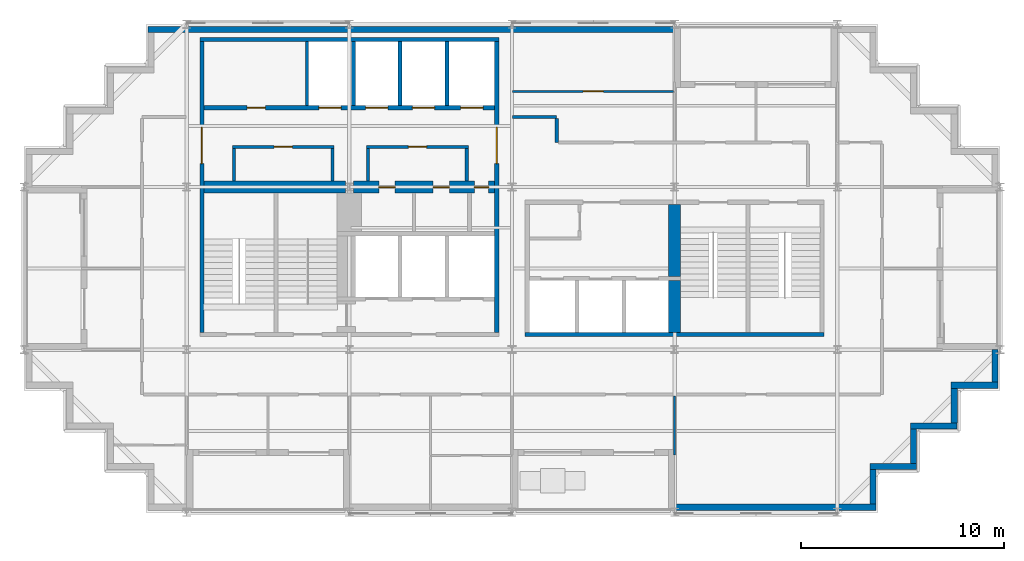
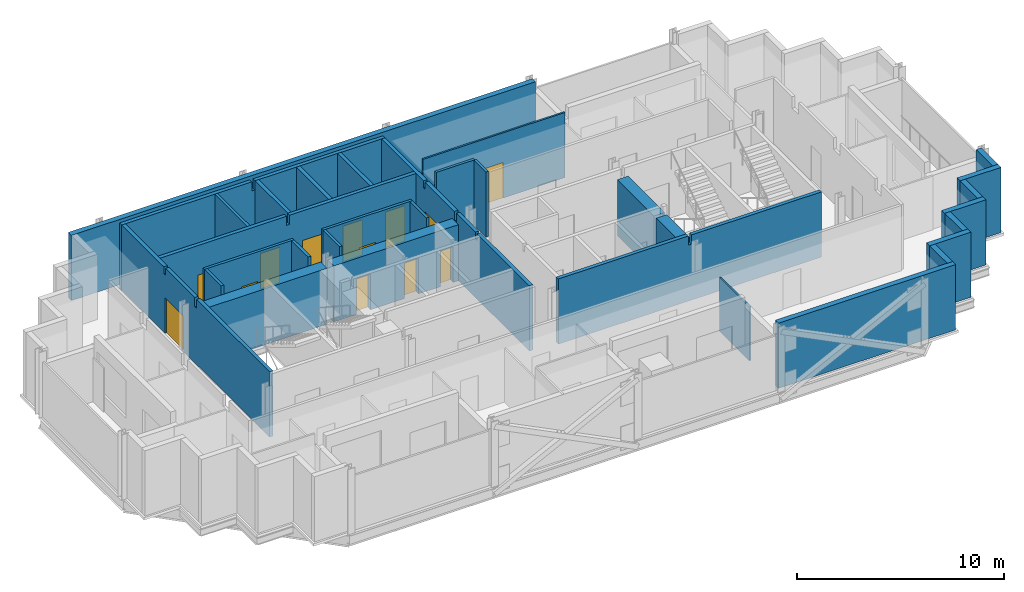
# One storey, part 6 of 10: 32 walls, 13 doors, 13 openings.
"""IFC4 building model written with IfcOpenShell, lengths in metres."""

from ifc_helpers import new_model, si_unit, direction, frame, frame_2d, origin, place, context, subcontext, project, spatial, polyline, rectangle, outline, extrude, material, layer, layer_set, type_object, element, fill, save


model = new_model("IFC4")

# Units and contexts
model_context = context("Model", 3, precision=1e-05, world=origin(), true_north=direction((0.0, 1.0)))
body_context = subcontext(model_context, "Body", "Model", "MODEL_VIEW")
ifc_project = project(units=[si_unit("LENGTHUNIT", "METRE"), si_unit("AREAUNIT", "SQUARE_METRE"), si_unit("VOLUMEUNIT", "CUBIC_METRE"), si_unit("PLANEANGLEUNIT", "RADIAN"), si_unit("MASSUNIT", "GRAM", prefix="KILO")], contexts=[model_context])

# Site, building, storey
site_placement = place(None, origin())
site = spatial("IfcSite", under=ifc_project, at=site_placement, CompositionType="ELEMENT")
building_placement = place(site_placement, origin())
building = spatial("IfcBuilding", under=site, at=building_placement, Name="Immortelle Media Tower", CompositionType="ELEMENT")
storey_placement = place(building_placement, frame((0.0, 0.0, 233.0)))
storey = spatial("IfcBuildingStorey", under=building, at=storey_placement, Name="L50", CompositionType="ELEMENT", Elevation=233.0)

# Wall, openings, doors
ifc_material_1 = material(Name="Fire-rated masonry blockwork", Category="masonry")
ifc_layer_1 = layer(ifc_material_1, 0.60009765625)
ifc_layer_set_1 = layer_set([ifc_layer_1], Name="Fire-rated masonry blockwork")
wall_type_1 = type_object("IfcWallType", Name="Core grid-line wall 600", PredefinedType="PARTITIONING", material=ifc_layer_set_1)
wall_1_placement = place(storey_placement, frame((16.196533203125, 16.0, 0.0), z_axis=(0.0, 0.0, 1.0), x_axis=(1.0, 0.0, 0.0)))
wall_1 = element("IfcWall", 1, at=wall_1_placement, inside=storey, type_object=wall_type_1, Name="Core grid-line wall SW", PredefinedType="PARTITIONING", context=body_context, shape_type="SweptSolid", body=[
    extrude(rectangle(XDim=6.953369140625, YDim=0.60009765625, at=frame_2d((3.4765625, 0.0))), origin(), (0.0, 0.0, 1.0), 3.30810546875),
])
opening_1_placement = place(wall_1_placement, frame((2.053466796875, 0.0, 0.0), z_axis=(0.0, 0.0, 1.0), x_axis=(-1.0, 0.0, 0.0)))
opening_1 = element("IfcOpeningElement", 2, at=opening_1_placement, cuts=wall_1, Name="Opening O6-K010", PredefinedType="OPENING", context=body_context, shape_type="SweptSolid", body=[
    extrude(rectangle(XDim=0.800048828125, YDim=2.10009765625, at=frame_2d((0.39990234375, 1.050048828125))), frame((0.0, 0.31005859375, 0.0), z_axis=(0.0, -1.0, 0.0), x_axis=(1.0, 0.0, 0.0)), (0.0, 0.0, 1.0), 0.6201171875),
])
opening_2_placement = place(wall_1_placement, frame((3.928466796875, 0.0, 0.0)))
opening_2 = element("IfcOpeningElement", 3, at=opening_2_placement, cuts=wall_1, Name="Opening O6-K015", PredefinedType="OPENING", context=body_context, shape_type="SweptSolid", body=[
    extrude(rectangle(XDim=0.800048828125, YDim=2.10009765625, at=frame_2d((0.39990234375, 1.050048828125))), frame((0.0, 0.31005859375, 0.0), z_axis=(0.0, -1.0, 0.0), x_axis=(1.0, 0.0, 0.0)), (0.0, 0.0, 1.0), 0.6201171875),
])
opening_3_placement = place(wall_1_placement, frame((6.653564453125, 0.0, 0.0), z_axis=(0.0, 0.0, 1.0), x_axis=(-1.0, 0.0, 0.0)))
opening_3 = element("IfcOpeningElement", 4, at=opening_3_placement, cuts=wall_1, Name="Opening O6-K018", PredefinedType="OPENING", context=body_context, shape_type="SweptSolid", body=[
    extrude(rectangle(XDim=0.699951171875, YDim=2.10009765625, at=frame_2d((0.35009765625, 1.050048828125))), frame((0.0, 0.31005859375, 0.0), z_axis=(0.0, -1.0, 0.0), x_axis=(1.0, 0.0, 0.0)), (0.0, 0.0, 1.0), 0.6201171875),
])
ifc_material_2 = material(Name="Galvanised steel door leaf and frame ASTM A653", Category="steel")
door_type_1 = type_object("IfcDoorType", Name="Service door 700 x 2100", OperationType="NOTDEFINED", PredefinedType="NOTDEFINED", material=ifc_material_2)
door_1_placement = place(opening_3_placement, origin())
door_1 = element("IfcDoor", 5, at=door_1_placement, inside=storey, type_object=door_type_1, Name="Service O6-K018", OperationType="SINGLE_SWING_LEFT", OverallHeight=2.10009765625, OverallWidth=0.699951171875, PredefinedType="NOTDEFINED", context=body_context, shape_type="SweptSolid", body=[
    extrude(rectangle(XDim=0.699951171875, YDim=2.10009765625, at=frame_2d((0.35009765625, 1.050048828125))), frame((0.0, 0.02490234375, 0.0), z_axis=(0.0, -1.0, 0.0), x_axis=(1.0, 0.0, 0.0)), (0.0, 0.0, 1.0), 0.050048828125),
])
fill(opening_3, door_1)
ifc_material_3 = material(Name="Timber", Category="wood")
door_type_2 = type_object("IfcDoorType", Name="Toilet door 800 x 2100", OperationType="NOTDEFINED", PredefinedType="NOTDEFINED", material=ifc_material_3)
door_2_placement = place(opening_1_placement, origin())
door_2 = element("IfcDoor", 6, at=door_2_placement, inside=storey, type_object=door_type_2, Name="Toilet O6-K010", OperationType="SINGLE_SWING_RIGHT", OverallHeight=2.10009765625, OverallWidth=0.800048828125, PredefinedType="NOTDEFINED", context=body_context, shape_type="SweptSolid", body=[
    extrude(rectangle(XDim=0.800048828125, YDim=2.10009765625, at=frame_2d((0.39990234375, 1.050048828125))), frame((0.0, 0.02490234375, 0.0), z_axis=(0.0, -1.0, 0.0), x_axis=(1.0, 0.0, 0.0)), (0.0, 0.0, 1.0), 0.050048828125),
])
fill(opening_1, door_2)
door_3_placement = place(opening_2_placement, origin())
door_3 = element("IfcDoor", 7, at=door_3_placement, inside=storey, type_object=door_type_2, Name="Toilet O6-K015", OperationType="SINGLE_SWING_RIGHT", OverallHeight=2.10009765625, OverallWidth=0.800048828125, PredefinedType="NOTDEFINED", context=body_context, shape_type="SweptSolid", body=[
    extrude(rectangle(XDim=0.800048828125, YDim=2.10009765625, at=frame_2d((0.39990234375, 1.050048828125))), frame((0.0, 0.02490234375, 0.0), z_axis=(0.0, -1.0, 0.0), x_axis=(1.0, 0.0, 0.0)), (0.0, 0.0, 1.0), 0.050048828125),
])
fill(opening_2, door_3)

# Wall
ifc_material_4 = material(Name="Fire-rated gypsum board", Category="gypsum")
ifc_layer_2 = layer(ifc_material_4, 0.02490234375)
ifc_material_5 = material(Name="Steel ASTM A653 SS Gr 50 stud frame with mineral wool", Category="steel")
ifc_layer_3 = layer(ifc_material_5, 0.10009765625)
ifc_layer_4 = layer(ifc_material_4, 0.02490234375)
ifc_layer_set_2 = layer_set([ifc_layer_2, ifc_layer_3, ifc_layer_4], Name="Steel ASTM A653 SS Gr 50 stud frame with mineral wool")
wall_type_2 = type_object("IfcWallType", Name="Core partition 150", PredefinedType="PARTITIONING", material=ifc_layer_set_2)
wall_2_placement = place(storey_placement, frame((10.324951171875, 16.300048828125, 0.0), z_axis=(0.0, 0.0, 1.0), x_axis=(0.0, 1.0, 0.0)))
element("IfcWall", 8, at=wall_2_placement, inside=storey, type_object=wall_type_2, Name="Core partition SW", PredefinedType="PARTITIONING", context=body_context, shape_type="SweptSolid", body=[
    extrude(rectangle(XDim=1.599853515625, YDim=0.14990234375, at=frame_2d((0.7998046875, 0.0))), origin(), (0.0, 0.0, 1.0), 3.85009765625),
])

# Wall, opening, door
wall_3_placement = place(storey_placement, frame((10.25, 17.97509765625, 0.0), z_axis=(0.0, 0.0, 1.0), x_axis=(1.0, 0.0, 0.0)))
wall_3 = element("IfcWall", 9, at=wall_3_placement, inside=storey, type_object=wall_type_2, Name="Core partition SW", PredefinedType="PARTITIONING", context=body_context, shape_type="SweptSolid", body=[
    extrude(rectangle(XDim=5.0, YDim=0.14990234375, at=frame_2d((2.5, 0.0))), origin(), (0.0, 0.0, 1.0), 3.85009765625),
])
opening_4_placement = place(wall_3_placement, frame((2.949951171875, 0.0, 0.0), z_axis=(0.0, 0.0, 1.0), x_axis=(-1.0, 0.0, 0.0)))
opening_4 = element("IfcOpeningElement", 10, at=opening_4_placement, cuts=wall_3, Name="Opening O6-K004", PredefinedType="OPENING", context=body_context, shape_type="SweptSolid", body=[
    extrude(rectangle(XDim=0.89990234375, YDim=2.10009765625, at=frame_2d((0.449951171875, 1.050048828125))), frame((0.0, 0.0849609375, 0.0), z_axis=(0.0, -1.0, 0.0), x_axis=(1.0, 0.0, 0.0)), (0.0, 0.0, 1.0), 0.169921875),
])
door_type_3 = type_object("IfcDoorType", Name="Room door 900 x 2100", OperationType="NOTDEFINED", PredefinedType="NOTDEFINED", material=ifc_material_3)
door_4_placement = place(opening_4_placement, origin())
door_4 = element("IfcDoor", 11, at=door_4_placement, inside=storey, type_object=door_type_3, Name="Room O6-K004", OperationType="SINGLE_SWING_LEFT", OverallHeight=2.10009765625, OverallWidth=0.89990234375, PredefinedType="NOTDEFINED", context=body_context, shape_type="SweptSolid", body=[
    extrude(rectangle(XDim=0.89990234375, YDim=2.10009765625, at=frame_2d((0.449951171875, 1.050048828125))), frame((0.0, 0.02490234375, 0.0), z_axis=(0.0, -1.0, 0.0), x_axis=(1.0, 0.0, 0.0)), (0.0, 0.0, 1.0), 0.050048828125),
])
fill(opening_4, door_4)

# Walls
wall_4_placement = place(storey_placement, frame((13.925048828125, 20.0, 0.0), z_axis=(0.0, 0.0, 1.0), x_axis=(0.0, 1.0, 0.0)))
element("IfcWall", 12, at=wall_4_placement, inside=storey, type_object=wall_type_2, Name="Core partition SW", PredefinedType="PARTITIONING", context=body_context, shape_type="SweptSolid", body=[
    extrude(rectangle(XDim=3.14990234375, YDim=0.14990234375, at=frame_2d((1.574951171875, 0.0))), origin(), (0.0, 0.0, 1.0), 3.85009765625),
])
for number, where, z_axis, x_axis, name in (
    (13, (15.175048828125, 16.300048828125, 0.0), (0.0, 0.0, 1.0), (0.0, 1.0, 0.0), "Core partition SW"),
    (14, (16.925048828125, 16.300048828125, 0.0), (0.0, 0.0, 1.0), (0.0, 1.0, 0.0), "Core partition SW"),
):
    element("IfcWall", number, at=place(storey_placement, frame(where, z_axis=z_axis, x_axis=x_axis)), inside=storey, type_object=wall_type_2, Name=name, PredefinedType="PARTITIONING", context=body_context, shape_type="SweptSolid", body=[
        extrude(rectangle(XDim=1.599853515625, YDim=0.14990234375, at=frame_2d((0.7998046875, 0.0))), origin(), (0.0, 0.0, 1.0), 3.85009765625),
    ])

# Wall, opening, door
wall_5_placement = place(storey_placement, frame((16.85009765625, 17.97509765625, 0.0), z_axis=(0.0, 0.0, 1.0), x_axis=(1.0, 0.0, 0.0)))
wall_5 = element("IfcWall", 15, at=wall_5_placement, inside=storey, type_object=wall_type_2, Name="Core partition SW", PredefinedType="PARTITIONING", context=body_context, shape_type="SweptSolid", body=[
    extrude(rectangle(XDim=5.0, YDim=0.14990234375, at=frame_2d((2.5, 0.0))), origin(), (0.0, 0.0, 1.0), 3.85009765625),
])
opening_5_placement = place(wall_5_placement, frame((2.949951171875, 0.0, 0.0), z_axis=(0.0, 0.0, 1.0), x_axis=(-1.0, 0.0, 0.0)))
opening_5 = element("IfcOpeningElement", 16, at=opening_5_placement, cuts=wall_5, Name="Opening O6-K011", PredefinedType="OPENING", context=body_context, shape_type="SweptSolid", body=[
    extrude(rectangle(XDim=0.89990234375, YDim=2.10009765625, at=frame_2d((0.449951171875, 1.050048828125))), frame((0.0, 0.0849609375, 0.0), z_axis=(0.0, -1.0, 0.0), x_axis=(1.0, 0.0, 0.0)), (0.0, 0.0, 1.0), 0.169921875),
])
door_5_placement = place(opening_5_placement, origin())
door_5 = element("IfcDoor", 17, at=door_5_placement, inside=storey, type_object=door_type_3, Name="Room O6-K011", OperationType="SINGLE_SWING_LEFT", OverallHeight=2.10009765625, OverallWidth=0.89990234375, PredefinedType="NOTDEFINED", context=body_context, shape_type="SweptSolid", body=[
    extrude(rectangle(XDim=0.89990234375, YDim=2.10009765625, at=frame_2d((0.449951171875, 1.050048828125))), frame((0.0, 0.02490234375, 0.0), z_axis=(0.0, -1.0, 0.0), x_axis=(1.0, 0.0, 0.0)), (0.0, 0.0, 1.0), 0.050048828125),
])
fill(opening_5, door_5)

# Walls
wall_6_placement = place(storey_placement, frame((21.77490234375, 16.300048828125, 0.0), z_axis=(0.0, 0.0, 1.0), x_axis=(0.0, 1.0, 0.0)))
element("IfcWall", 18, at=wall_6_placement, inside=storey, type_object=wall_type_2, Name="Core partition SW", PredefinedType="PARTITIONING", context=body_context, shape_type="SweptSolid", body=[
    extrude(rectangle(XDim=1.599853515625, YDim=0.14990234375, at=frame_2d((0.7998046875, 0.0))), origin(), (0.0, 0.0, 1.0), 3.85009765625),
])
ifc_layer_5 = layer(ifc_material_4, 0.03759765625)
ifc_layer_6 = layer(ifc_material_5, 0.125)
ifc_layer_7 = layer(ifc_material_4, 0.03759765625)
ifc_layer_set_3 = layer_set([ifc_layer_5, ifc_layer_6, ifc_layer_7], Name="Steel ASTM A653 SS Gr 50 stud frame with mineral wool")
wall_type_3 = type_object("IfcWallType", Name="Core shaft wall 200", PredefinedType="PARTITIONING", material=ifc_layer_set_3)
wall_7_placement = place(storey_placement, frame((8.64990234375, 23.25, 0.0), z_axis=(0.0, 0.0, 1.0), x_axis=(1.0, 0.0, 0.0)))
element("IfcWall", 19, at=wall_7_placement, inside=storey, type_object=wall_type_3, Name="Core shaft wall SW", PredefinedType="PARTITIONING", context=body_context, shape_type="SweptSolid", body=[
    extrude(outline(polyline([(0.0, 0.0), (14.7001953125, 0.0), (14.699951171875, 3.85009765625), (7.4384765625, 3.85009765625), (7.4375, 3.30810546875), (7.262451171875, 3.30810546875), (7.261474609375, 3.85009765625), (0.0, 3.85009765625), (0.0, 0.0)])), frame((0.0, 0.10009765625, 0.0), z_axis=(0.0, -1.0, 0.0), x_axis=(1.0, 0.0, 0.0)), (0.0, 0.0, 1.0), 0.199951171875),
])

# Wall, openings, doors
wall_8_placement = place(storey_placement, frame((8.85009765625, 19.89990234375, 0.0), z_axis=(0.0, 0.0, 1.0), x_axis=(1.0, 0.0, 0.0)))
wall_8 = element("IfcWall", 20, at=wall_8_placement, inside=storey, type_object=wall_type_3, Name="Core shaft wall SW", PredefinedType="PARTITIONING", context=body_context, shape_type="SweptSolid", body=[
    extrude(outline(polyline([(0.0, 0.0), (14.2998046875, 0.0), (14.300048828125, 3.85009765625), (7.238525390625, 3.85009765625), (7.237548828125, 3.30810546875), (7.0625, 3.30810546875), (7.0615234375, 3.85009765625), (0.0, 3.85009765625), (0.0, 0.0)])), frame((0.0, 0.10009765625, 0.0), z_axis=(0.0, -1.0, 0.0), x_axis=(1.0, 0.0, 0.0)), (0.0, 0.0, 1.0), 0.199951171875),
])
opening_6_placement = place(wall_8_placement, frame((2.125, 0.0, 0.0)))
opening_6 = element("IfcOpeningElement", 21, at=opening_6_placement, cuts=wall_8, Name="Opening O6-K003", PredefinedType="OPENING", context=body_context, shape_type="SweptSolid", body=[
    extrude(rectangle(XDim=0.89990234375, YDim=2.10009765625, at=frame_2d((0.449951171875, 1.050048828125))), frame((0.0, 0.10986328125, 0.0), z_axis=(0.0, -1.0, 0.0), x_axis=(1.0, 0.0, 0.0)), (0.0, 0.0, 1.0), 0.219970703125),
])
opening_7_placement = place(wall_8_placement, frame((5.64990234375, 0.0, 0.0)))
opening_7 = element("IfcOpeningElement", 22, at=opening_7_placement, cuts=wall_8, Name="Opening LD", PredefinedType="OPENING", context=body_context, shape_type="SweptSolid", body=[
    extrude(rectangle(XDim=1.10009765625, YDim=2.10009765625, at=frame_2d((0.550048828125, 1.050048828125))), frame((0.0, 0.10986328125, 0.0), z_axis=(0.0, -1.0, 0.0), x_axis=(1.0, 0.0, 0.0)), (0.0, 0.0, 1.0), 0.219970703125),
])
opening_8_placement = place(wall_8_placement, frame((7.949951171875, 0.0, 0.0)))
opening_8 = element("IfcOpeningElement", 23, at=opening_8_placement, cuts=wall_8, Name="Opening LD", PredefinedType="OPENING", context=body_context, shape_type="SweptSolid", body=[
    extrude(rectangle(XDim=1.10009765625, YDim=2.10009765625, at=frame_2d((0.550048828125, 1.050048828125))), frame((0.0, 0.10986328125, 0.0), z_axis=(0.0, -1.0, 0.0), x_axis=(1.0, 0.0, 0.0)), (0.0, 0.0, 1.0), 0.219970703125),
])
opening_9_placement = place(wall_8_placement, frame((10.25, 0.0, 0.0)))
opening_9 = element("IfcOpeningElement", 24, at=opening_9_placement, cuts=wall_8, Name="Opening LD", PredefinedType="OPENING", context=body_context, shape_type="SweptSolid", body=[
    extrude(rectangle(XDim=1.10009765625, YDim=2.10009765625, at=frame_2d((0.550048828125, 1.050048828125))), frame((0.0, 0.10986328125, 0.0), z_axis=(0.0, -1.0, 0.0), x_axis=(1.0, 0.0, 0.0)), (0.0, 0.0, 1.0), 0.219970703125),
])
opening_10_placement = place(wall_8_placement, frame((12.625, 0.0, 0.0)))
opening_10 = element("IfcOpeningElement", 25, at=opening_10_placement, cuts=wall_8, Name="Opening LD", PredefinedType="OPENING", context=body_context, shape_type="SweptSolid", body=[
    extrude(rectangle(XDim=1.10009765625, YDim=2.10009765625, at=frame_2d((0.550048828125, 1.050048828125))), frame((0.0, 0.10986328125, 0.0), z_axis=(0.0, -1.0, 0.0), x_axis=(1.0, 0.0, 0.0)), (0.0, 0.0, 1.0), 0.219970703125),
])
ifc_material_6 = material(Name="Stainless steel AISI 304", Category="steel")
door_type_4 = type_object("IfcDoorType", Name="Landing door 1100 x 2100", OperationType="SLIDING_TO_LEFT", PredefinedType="NOTDEFINED", material=ifc_material_6)
door_6_placement = place(opening_7_placement, origin())
door_6 = element("IfcDoor", 26, at=door_6_placement, inside=storey, type_object=door_type_4, Name="Landing door HR1 L50", OperationType="SLIDING_TO_LEFT", OverallHeight=2.10009765625, OverallWidth=1.10009765625, PredefinedType="NOTDEFINED", context=body_context, shape_type="SweptSolid", body=[
    extrude(rectangle(XDim=1.10009765625, YDim=2.10009765625, at=frame_2d((0.550048828125, 1.050048828125))), frame((0.0, 0.02490234375, 0.0), z_axis=(0.0, -1.0, 0.0), x_axis=(1.0, 0.0, 0.0)), (0.0, 0.0, 1.0), 0.050048828125),
])
fill(opening_7, door_6)
door_7_placement = place(opening_8_placement, origin())
door_7 = element("IfcDoor", 27, at=door_7_placement, inside=storey, type_object=door_type_4, Name="Landing door HR2 L50", OperationType="SLIDING_TO_LEFT", OverallHeight=2.10009765625, OverallWidth=1.10009765625, PredefinedType="NOTDEFINED", context=body_context, shape_type="SweptSolid", body=[
    extrude(rectangle(XDim=1.10009765625, YDim=2.10009765625, at=frame_2d((0.550048828125, 1.050048828125))), frame((0.0, 0.02490234375, 0.0), z_axis=(0.0, -1.0, 0.0), x_axis=(1.0, 0.0, 0.0)), (0.0, 0.0, 1.0), 0.050048828125),
])
fill(opening_8, door_7)
door_8_placement = place(opening_9_placement, origin())
door_8 = element("IfcDoor", 28, at=door_8_placement, inside=storey, type_object=door_type_4, Name="Landing door HR3 L50", OperationType="SLIDING_TO_LEFT", OverallHeight=2.10009765625, OverallWidth=1.10009765625, PredefinedType="NOTDEFINED", context=body_context, shape_type="SweptSolid", body=[
    extrude(rectangle(XDim=1.10009765625, YDim=2.10009765625, at=frame_2d((0.550048828125, 1.050048828125))), frame((0.0, 0.02490234375, 0.0), z_axis=(0.0, -1.0, 0.0), x_axis=(1.0, 0.0, 0.0)), (0.0, 0.0, 1.0), 0.050048828125),
])
fill(opening_9, door_8)
door_9_placement = place(opening_10_placement, origin())
door_9 = element("IfcDoor", 29, at=door_9_placement, inside=storey, type_object=door_type_4, Name="Landing door HR4 L50", OperationType="SLIDING_TO_LEFT", OverallHeight=2.10009765625, OverallWidth=1.10009765625, PredefinedType="NOTDEFINED", context=body_context, shape_type="SweptSolid", body=[
    extrude(rectangle(XDim=1.10009765625, YDim=2.10009765625, at=frame_2d((0.550048828125, 1.050048828125))), frame((0.0, 0.02490234375, 0.0), z_axis=(0.0, -1.0, 0.0), x_axis=(1.0, 0.0, 0.0)), (0.0, 0.0, 1.0), 0.050048828125),
])
fill(opening_10, door_9)
door_10_placement = place(opening_6_placement, origin())
door_10 = element("IfcDoor", 30, at=door_10_placement, inside=storey, type_object=door_type_3, Name="Room O6-K003", OperationType="SINGLE_SWING_RIGHT", OverallHeight=2.10009765625, OverallWidth=0.89990234375, PredefinedType="NOTDEFINED", context=body_context, shape_type="SweptSolid", body=[
    extrude(rectangle(XDim=0.89990234375, YDim=2.10009765625, at=frame_2d((0.449951171875, 1.050048828125))), frame((0.0, 0.02490234375, 0.0), z_axis=(0.0, -1.0, 0.0), x_axis=(1.0, 0.0, 0.0)), (0.0, 0.0, 1.0), 0.050048828125),
])
fill(opening_6, door_10)

# Walls
for number, where, z_axis, x_axis, name in (
    (31, (16.199951171875, 20.0, 0.0), (0.0, 0.0, 1.0), (0.0, 1.0, 0.0), "Core shaft wall SW"),
    (32, (18.5, 20.0, 0.0), (0.0, 0.0, 1.0), (0.0, 1.0, 0.0), "Core shaft wall SW"),
    (33, (20.800048828125, 20.0, 0.0), (0.0, 0.0, 1.0), (0.0, 1.0, 0.0), "Core shaft wall SW"),
):
    element("IfcWall", number, at=place(storey_placement, frame(where, z_axis=z_axis, x_axis=x_axis)), inside=storey, type_object=wall_type_3, Name=name, PredefinedType="PARTITIONING", context=body_context, shape_type="SweptSolid", body=[
        extrude(rectangle(XDim=3.14990234375, YDim=0.199951171875, at=frame_2d((1.574951171875, 0.0))), origin(), (0.0, 0.0, 1.0), 3.85009765625),
    ])

# Wall, opening, door
wall_9_placement = place(storey_placement, frame((23.25, 8.85009765625, 0.0), z_axis=(0.0, 0.0, 1.0), x_axis=(0.0, 1.0, 0.0)))
wall_9 = element("IfcWall", 34, at=wall_9_placement, inside=storey, type_object=wall_type_3, Name="Core shaft wall SW", PredefinedType="PARTITIONING", context=body_context, shape_type="SweptSolid", body=[
    extrude(outline(polyline([(0.0, 0.0), (14.2998046875, 0.0), (14.300048828125, 3.85009765625), (10.22509765625, 3.85009765625), (10.22412109375, 3.43994140625), (10.075927734375, 3.43994140625), (10.074951171875, 3.85009765625), (7.238525390625, 3.85009765625), (7.237548828125, 3.30810546875), (7.0625, 3.30810546875), (7.0615234375, 3.85009765625), (5.22509765625, 3.85009765625), (5.22412109375, 3.43994140625), (5.075927734375, 3.43994140625), (5.074951171875, 3.85009765625), (0.0, 3.85009765625), (0.0, 0.0)])), frame((0.0, 0.10009765625, 0.0), z_axis=(0.0, -1.0, 0.0), x_axis=(1.0, 0.0, 0.0)), (0.0, 0.0, 1.0), 0.199951171875),
])
opening_11_placement = place(wall_9_placement, frame((8.300048828125, 0.0, 0.0)))
opening_11 = element("IfcOpeningElement", 35, at=opening_11_placement, cuts=wall_9, Name="Opening O6-K019", PredefinedType="OPENING", context=body_context, shape_type="SweptSolid", body=[
    extrude(rectangle(XDim=1.800048828125, YDim=2.10009765625, at=frame_2d((0.89990234375, 1.050048828125))), frame((0.0, 0.10986328125, 0.0), z_axis=(0.0, -1.0, 0.0), x_axis=(1.0, 0.0, 0.0)), (0.0, 0.0, 1.0), 0.219970703125),
])
door_type_5 = type_object("IfcDoorType", Name="Lift lobby door 1800 x 2100", OperationType="DOUBLE_DOOR_SINGLE_SWING", PredefinedType="NOTDEFINED", material=ifc_material_2)
door_11_placement = place(opening_11_placement, origin())
door_11 = element("IfcDoor", 36, at=door_11_placement, inside=storey, type_object=door_type_5, Name="Lift lobby O6-K019", OperationType="DOUBLE_DOOR_SINGLE_SWING", OverallHeight=2.10009765625, OverallWidth=1.800048828125, PredefinedType="NOTDEFINED", context=body_context, shape_type="SweptSolid", body=[
    extrude(rectangle(XDim=1.800048828125, YDim=2.10009765625, at=frame_2d((0.89990234375, 1.050048828125))), frame((0.0, 0.02490234375, 0.0), z_axis=(0.0, -1.0, 0.0), x_axis=(1.0, 0.0, 0.0)), (0.0, 0.0, 1.0), 0.050048828125),
])
fill(opening_11, door_11)

# Walls
ifc_layer_8 = layer(ifc_material_4, 0.012451171875)
ifc_layer_9 = layer(ifc_material_5, 0.125)
ifc_layer_10 = layer(ifc_material_4, 0.012451171875)
ifc_layer_set_4 = layer_set([ifc_layer_8, ifc_layer_9, ifc_layer_10], Name="Steel ASTM A653 SS Gr 50 stud frame with mineral wool")
wall_type_4 = type_object("IfcWallType", Name="Corridor wall 150", PredefinedType="PARTITIONING", material=ifc_layer_set_4)
wall_10_placement = place(storey_placement, frame((26.199951171875, 18.199951171875, 0.0), z_axis=(0.0, 0.0, 1.0), x_axis=(0.0, 1.0, 0.0)))
element("IfcWall", 37, at=wall_10_placement, inside=storey, type_object=wall_type_4, Name="Partition L50-023", PredefinedType="PARTITIONING", context=body_context, shape_type="SweptSolid", body=[
    extrude(rectangle(XDim=1.175048828125, YDim=0.14990234375, at=frame_2d((0.58740234375, 0.0))), origin(), (0.0, 0.0, 1.0), 3.85009765625),
])
wall_11_placement = place(storey_placement, frame((24.030029296875, 19.449951171875, 0.0), z_axis=(0.0, 0.0, 1.0), x_axis=(1.0, 0.0, 0.0)))
element("IfcWall", 38, at=wall_11_placement, inside=storey, type_object=wall_type_4, Name="Partition L50-029", PredefinedType="PARTITIONING", context=body_context, shape_type="SweptSolid", body=[
    extrude(rectangle(XDim=2.169921875, YDim=0.14990234375, at=frame_2d((1.0849609375, 0.0))), origin(), (0.0, 0.0, 1.0), 3.85009765625),
])
ifc_material_7 = material(Name="Pale aluminium cladding panel", Category="aluminium")
ifc_layer_11 = layer(ifc_material_7, 0.030029296875)
ifc_layer_12 = layer(ifc_material_5, 0.257568359375)
ifc_material_8 = material(Name="Moisture-resistant gypsum board", Category="gypsum")
ifc_layer_13 = layer(ifc_material_8, 0.012451171875)
ifc_layer_set_5 = layer_set([ifc_layer_11, ifc_layer_12, ifc_layer_13], Name="Steel ASTM A653 SS Gr 50 stud frame with mineral wool")
wall_type_5 = type_object("IfcWallType", Name="Facade wall 300", PredefinedType="SOLIDWALL", material=ifc_layer_set_5)
wall_12_placement = place(storey_placement, frame((32.0, 0.25, 0.0), z_axis=(0.0, 0.0, 1.0), x_axis=(1.0, 0.0, 0.0)))
element("IfcWall", 39, at=wall_12_placement, inside=storey, type_object=wall_type_5, Name="Facade wall L50 S6", PredefinedType="SOLIDWALL", context=body_context, shape_type="SweptSolid", body=[
    extrude(rectangle(XDim=9.89990234375, YDim=0.300048828125, at=frame_2d((4.949951171875, 0.0))), origin(), (0.0, 0.0, 1.0), 3.85009765625),
])
wall_13_placement = place(storey_placement, frame((41.75, 0.39990234375, 0.0), z_axis=(0.0, 0.0, 1.0), x_axis=(0.0, 1.0, 0.0)))
element("IfcWall", 40, at=wall_13_placement, inside=storey, type_object=wall_type_5, Name="Facade wall L50 E7", PredefinedType="SOLIDWALL", context=body_context, shape_type="SweptSolid", body=[
    extrude(rectangle(XDim=1.7001953125, YDim=0.300048828125, at=frame_2d((0.85009765625, 0.0))), origin(), (0.0, 0.0, 1.0), 3.85009765625),
])
wall_14_placement = place(storey_placement, frame((41.60009765625, 2.25, 0.0), z_axis=(0.0, 0.0, 1.0), x_axis=(1.0, 0.0, 0.0)))
element("IfcWall", 41, at=wall_14_placement, inside=storey, type_object=wall_type_5, Name="Facade wall L50 S8", PredefinedType="SOLIDWALL", context=body_context, shape_type="SweptSolid", body=[
    extrude(rectangle(XDim=2.2998046875, YDim=0.300048828125, at=frame_2d((1.14990234375, 0.0))), origin(), (0.0, 0.0, 1.0), 3.85009765625),
])
wall_15_placement = place(storey_placement, frame((43.75, 2.39990234375, 0.0), z_axis=(0.0, 0.0, 1.0), x_axis=(0.0, 1.0, 0.0)))
element("IfcWall", 42, at=wall_15_placement, inside=storey, type_object=wall_type_5, Name="Facade wall L50 E9", PredefinedType="SOLIDWALL", context=body_context, shape_type="SweptSolid", body=[
    extrude(rectangle(XDim=1.7001953125, YDim=0.300048828125, at=frame_2d((0.85009765625, 0.0))), origin(), (0.0, 0.0, 1.0), 3.85009765625),
])
wall_16_placement = place(storey_placement, frame((43.60009765625, 4.25, 0.0), z_axis=(0.0, 0.0, 1.0), x_axis=(1.0, 0.0, 0.0)))
element("IfcWall", 43, at=wall_16_placement, inside=storey, type_object=wall_type_5, Name="Facade wall L50 S10", PredefinedType="SOLIDWALL", context=body_context, shape_type="SweptSolid", body=[
    extrude(rectangle(XDim=2.2998046875, YDim=0.300048828125, at=frame_2d((1.14990234375, 0.0))), origin(), (0.0, 0.0, 1.0), 3.85009765625),
])
wall_17_placement = place(storey_placement, frame((45.75, 4.39990234375, 0.0), z_axis=(0.0, 0.0, 1.0), x_axis=(0.0, 1.0, 0.0)))
element("IfcWall", 44, at=wall_17_placement, inside=storey, type_object=wall_type_5, Name="Facade wall L50 E11", PredefinedType="SOLIDWALL", context=body_context, shape_type="SweptSolid", body=[
    extrude(rectangle(XDim=1.7001953125, YDim=0.300048828125, at=frame_2d((0.85009765625, 0.0))), origin(), (0.0, 0.0, 1.0), 3.85009765625),
])
wall_18_placement = place(storey_placement, frame((45.60009765625, 6.25, 0.0), z_axis=(0.0, 0.0, 1.0), x_axis=(1.0, 0.0, 0.0)))
element("IfcWall", 45, at=wall_18_placement, inside=storey, type_object=wall_type_5, Name="Facade wall L50 S12", PredefinedType="SOLIDWALL", context=body_context, shape_type="SweptSolid", body=[
    extrude(rectangle(XDim=2.2998046875, YDim=0.300048828125, at=frame_2d((1.14990234375, 0.0))), origin(), (0.0, 0.0, 1.0), 3.85009765625),
])
wall_19_placement = place(storey_placement, frame((47.75, 6.39990234375, 0.0), z_axis=(0.0, 0.0, 1.0), x_axis=(0.0, 1.0, 0.0)))
element("IfcWall", 46, at=wall_19_placement, inside=storey, type_object=wall_type_5, Name="Facade wall L50 E13", PredefinedType="SOLIDWALL", context=body_context, shape_type="SweptSolid", body=[
    extrude(rectangle(XDim=1.60009765625, YDim=0.300048828125, at=frame_2d((0.800048828125, 0.0))), origin(), (0.0, 0.0, 1.0), 3.85009765625),
])
wall_20_placement = place(storey_placement, frame((32.0, 23.75, 0.0), z_axis=(0.0, 0.0, 1.0), x_axis=(-1.0, 0.0, 0.0)))
element("IfcWall", 47, at=wall_20_placement, inside=storey, type_object=wall_type_5, Name="Facade wall L50 N20", PredefinedType="SOLIDWALL", context=body_context, shape_type="SweptSolid", body=[
    extrude(rectangle(XDim=25.89990234375, YDim=0.300048828125, at=frame_2d((12.949951171875, 0.0))), origin(), (0.0, 0.0, 1.0), 3.85009765625),
])
ifc_material_9 = material(Name="Gypsum board", Category="gypsum")
ifc_layer_14 = layer(ifc_material_9, 0.012451171875)
ifc_layer_15 = layer(ifc_material_5, 0.074951171875)
ifc_layer_16 = layer(ifc_material_9, 0.012451171875)
ifc_layer_set_6 = layer_set([ifc_layer_14, ifc_layer_15, ifc_layer_16], Name="Steel ASTM A653 SS Gr 50 stud frame with mineral wool")
wall_type_6 = type_object("IfcWallType", Name="Partition 100", PredefinedType="PARTITIONING", material=ifc_layer_set_6)
wall_21_placement = place(storey_placement, frame((32.0, 2.830078125, 0.0), z_axis=(0.0, 0.0, 1.0), x_axis=(0.0, 1.0, 0.0)))
element("IfcWall", 48, at=wall_21_placement, inside=storey, type_object=wall_type_6, Name="Partition L50-008", PredefinedType="PARTITIONING", context=body_context, shape_type="SweptSolid", body=[
    extrude(rectangle(XDim=2.89501953125, YDim=0.10009765625, at=frame_2d((1.447509765625, 0.0))), origin(), (0.0, 0.0, 1.0), 3.172119140625),
])

# Wall, opening, door
wall_22_placement = place(storey_placement, frame((24.030029296875, 20.699951171875, 0.0), z_axis=(0.0, 0.0, 1.0), x_axis=(1.0, 0.0, 0.0)))
wall_22 = element("IfcWall", 49, at=wall_22_placement, inside=storey, type_object=wall_type_6, Name="Partition L50-030", PredefinedType="PARTITIONING", context=body_context, shape_type="SweptSolid", body=[
    extrude(rectangle(XDim=7.919921875, YDim=0.10009765625, at=frame_2d((3.9599609375, 0.0))), origin(), (0.0, 0.0, 1.0), 3.85009765625),
])
opening_12_placement = place(wall_22_placement, frame((3.469970703125, 0.0, 0.0)))
opening_12 = element("IfcOpeningElement", 50, at=opening_12_placement, cuts=wall_22, Name="Opening O6-F019", PredefinedType="OPENING", context=body_context, shape_type="SweptSolid", body=[
    extrude(rectangle(XDim=1.0, YDim=2.10009765625, at=frame_2d((0.5, 1.050048828125))), frame((0.0, 0.06005859375, 0.0), z_axis=(0.0, -1.0, 0.0), x_axis=(1.0, 0.0, 0.0)), (0.0, 0.0, 1.0), 0.1201171875),
])
ifc_material_10 = material(Name="Timber veneered door leaf, galvanised steel frame ASTM A653", Category="steel")
door_type_6 = type_object("IfcDoorType", Name="Room door 1000 x 2100", OperationType="NOTDEFINED", PredefinedType="DOOR", material=ifc_material_10)
door_12_placement = place(opening_12_placement, origin())
door_12 = element("IfcDoor", 51, at=door_12_placement, inside=storey, type_object=door_type_6, Name="Door O6-F019", OperationType="SINGLE_SWING_LEFT", OverallHeight=2.10009765625, OverallWidth=1.0, PredefinedType="DOOR", context=body_context, shape_type="SweptSolid", body=[
    extrude(rectangle(XDim=1.0, YDim=2.10009765625, at=frame_2d((0.5, 1.050048828125))), frame((0.0, 0.02490234375, 0.0), z_axis=(0.0, -1.0, 0.0), x_axis=(1.0, 0.0, 0.0)), (0.0, 0.0, 1.0), 0.050048828125),
])
fill(opening_12, door_12)

ifc_material_11 = material(Name="Concrete C60", Category="concrete")
ifc_layer_17 = layer(ifc_material_11, 0.199951171875)
ifc_layer_set_7 = layer_set([ifc_layer_17], Name="Concrete C60")
wall_type_7 = type_object("IfcWallType", Name="Stair shaft wall 200", PredefinedType="PARTITIONING", material=ifc_layer_set_7)
wall_23_placement = place(storey_placement, frame((8.75, 8.85009765625, 0.0), z_axis=(0.0, 0.0, 1.0), x_axis=(0.0, 1.0, 0.0)))
wall_23 = element("IfcWall", 52, at=wall_23_placement, inside=storey, type_object=wall_type_7, Name="Stair shaft wall SW", PredefinedType="PARTITIONING", context=body_context, shape_type="SweptSolid", body=[
    extrude(outline(polyline([(0.0, 0.0), (14.2998046875, 0.0), (14.300048828125, 3.85009765625), (10.22509765625, 3.85009765625), (10.22412109375, 3.43994140625), (10.075927734375, 3.43994140625), (10.074951171875, 3.85009765625), (7.238525390625, 3.85009765625), (7.237548828125, 3.30810546875), (7.0625, 3.30810546875), (7.0615234375, 3.85009765625), (0.0, 3.85009765625), (0.0, 0.0)])), frame((0.0, 0.10009765625, 0.0), z_axis=(0.0, -1.0, 0.0), x_axis=(1.0, 0.0, 0.0)), (0.0, 0.0, 1.0), 0.199951171875),
])
opening_13_placement = place(wall_23_placement, frame((8.300048828125, 0.0, 0.0)))
opening_13 = element("IfcOpeningElement", 53, at=opening_13_placement, cuts=wall_23, Name="Opening O6-K001", PredefinedType="OPENING", context=body_context, shape_type="SweptSolid", body=[
    extrude(rectangle(XDim=1.800048828125, YDim=2.10009765625, at=frame_2d((0.89990234375, 1.050048828125))), frame((0.0, 0.10986328125, 0.0), z_axis=(0.0, -1.0, 0.0), x_axis=(1.0, 0.0, 0.0)), (0.0, 0.0, 1.0), 0.219970703125),
])
door_13_placement = place(opening_13_placement, origin())
door_13 = element("IfcDoor", 54, at=door_13_placement, inside=storey, type_object=door_type_5, Name="Lift lobby O6-K001", OperationType="DOUBLE_DOOR_SINGLE_SWING", OverallHeight=2.10009765625, OverallWidth=1.800048828125, PredefinedType="NOTDEFINED", context=body_context, shape_type="SweptSolid", body=[
    extrude(rectangle(XDim=1.800048828125, YDim=2.10009765625, at=frame_2d((0.89990234375, 1.050048828125))), frame((0.0, 0.02490234375, 0.0), z_axis=(0.0, -1.0, 0.0), x_axis=(1.0, 0.0, 0.0)), (0.0, 0.0, 1.0), 0.050048828125),
])
fill(opening_13, door_13)

# Walls
wall_24_placement = place(storey_placement, frame((24.64990234375, 8.75, 0.0), z_axis=(0.0, 0.0, 1.0), x_axis=(1.0, 0.0, 0.0)))
element("IfcWall", 55, at=wall_24_placement, inside=storey, type_object=wall_type_7, Name="Stair shaft wall SE", PredefinedType="PARTITIONING", context=body_context, shape_type="SweptSolid", body=[
    extrude(outline(polyline([(0.0, 0.0), (14.7001953125, 0.0), (14.699951171875, 3.85009765625), (7.4384765625, 3.85009765625), (7.4375, 3.30810546875), (7.262451171875, 3.30810546875), (7.261474609375, 3.85009765625), (0.0, 3.85009765625), (0.0, 0.0)])), frame((0.0, 0.10009765625, 0.0), z_axis=(0.0, -1.0, 0.0), x_axis=(1.0, 0.0, 0.0)), (0.0, 0.0, 1.0), 0.199951171875),
])
ifc_layer_18 = layer(ifc_material_11, 0.60009765625)
ifc_layer_set_8 = layer_set([ifc_layer_18], Name="Concrete C60")
wall_type_8 = type_object("IfcWallType", Name="Stair shaft wall 600", PredefinedType="PARTITIONING", material=ifc_layer_set_8)
wall_25_placement = place(storey_placement, frame((8.85009765625, 16.0, 0.0), z_axis=(0.0, 0.0, 1.0), x_axis=(1.0, 0.0, 0.0)))
element("IfcWall", 56, at=wall_25_placement, inside=storey, type_object=wall_type_8, Name="Stair shaft wall SW", PredefinedType="PARTITIONING", context=body_context, shape_type="SweptSolid", body=[
    extrude(rectangle(XDim=6.953369140625, YDim=0.60009765625, at=frame_2d((3.4765625, 0.0))), origin(), (0.0, 0.0, 1.0), 3.30810546875),
])
wall_26_placement = place(storey_placement, frame((32.0, 8.85009765625, 0.0), z_axis=(0.0, 0.0, 1.0), x_axis=(0.0, 1.0, 0.0)))
element("IfcWall", 57, at=wall_26_placement, inside=storey, type_object=wall_type_8, Name="Stair shaft wall SE", PredefinedType="PARTITIONING", context=body_context, shape_type="SweptSolid", body=[
    extrude(rectangle(XDim=2.5498046875, YDim=0.60009765625, at=frame_2d((1.27490234375, 0.0))), origin(), (0.0, 0.0, 1.0), 3.30810546875),
])
wall_27_placement = place(storey_placement, frame((32.0, 11.60009765625, 0.0), z_axis=(0.0, 0.0, 1.0), x_axis=(0.0, 1.0, 0.0)))
element("IfcWall", 58, at=wall_27_placement, inside=storey, type_object=wall_type_8, Name="Stair shaft wall SE", PredefinedType="PARTITIONING", context=body_context, shape_type="SweptSolid", body=[
    extrude(rectangle(XDim=3.5498046875, YDim=0.60009765625, at=frame_2d((1.77490234375, 0.0))), origin(), (0.0, 0.0, 1.0), 3.30810546875),
])

save(model, "model.ifc")
